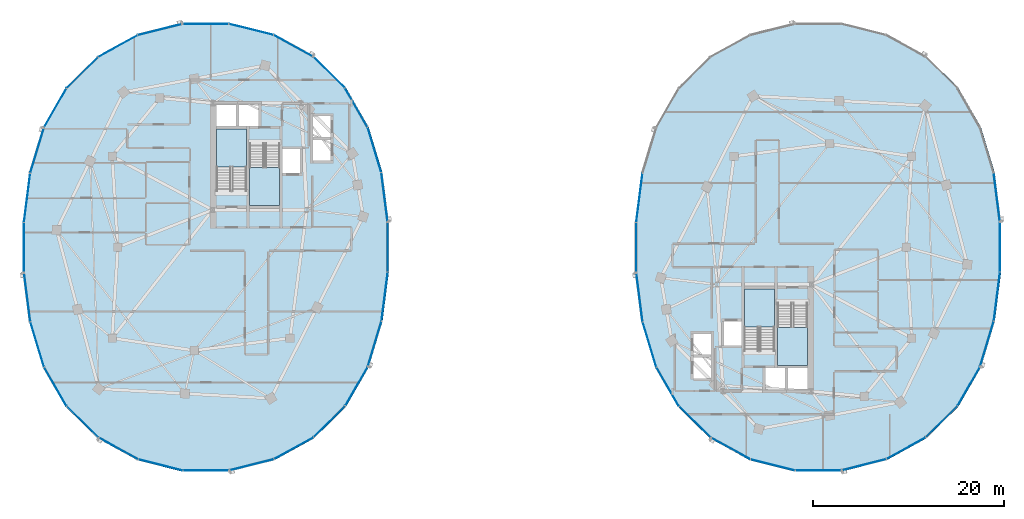
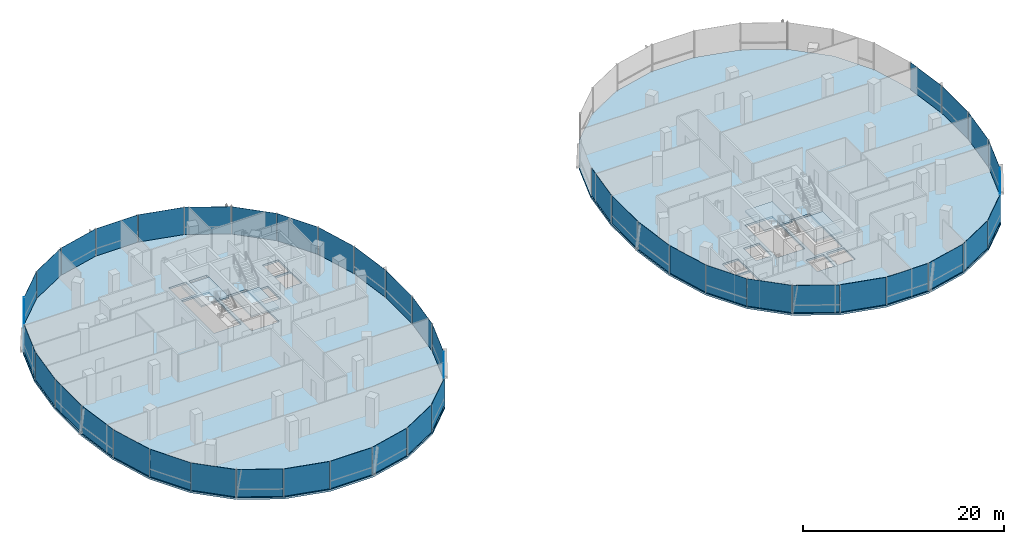
# One storey, part 10 of 23: 45 plates, 6 slabs, 12 elements without a shape of their own.
"""IFC4 building model written with IfcOpenShell, lengths in metres."""

from ifc_helpers import new_model, si_unit, direction, frame, origin, origin_2d, place, context, subcontext, project, spatial, polyline, rectangle, outline, extrude, material, layer, layer_set, type_object, element, aggregate, save


model = new_model("IFC4")

# Units and contexts
model_context = context("Model", 3, precision=1e-05, world=origin(), true_north=direction((0.0, 1.0)))
body_context = subcontext(model_context, "Body", "Model", "MODEL_VIEW")
ifc_project = project(units=[si_unit("LENGTHUNIT", "METRE"), si_unit("AREAUNIT", "SQUARE_METRE"), si_unit("VOLUMEUNIT", "CUBIC_METRE"), si_unit("PLANEANGLEUNIT", "RADIAN"), si_unit("MASSUNIT", "GRAM", prefix="KILO"), si_unit("THERMODYNAMICTEMPERATUREUNIT", "KELVIN"), si_unit("POWERUNIT", "WATT")], contexts=[model_context])

# Site, building, storey
site_placement = place(None, origin())
site = spatial("IfcSite", under=ifc_project, at=site_placement, CompositionType="ELEMENT")
building_placement = place(site_placement, origin())
building = spatial("IfcBuilding", under=site, at=building_placement, Name="Cundina Bronze Exchange", CompositionType="ELEMENT")
storey_placement = place(building_placement, frame((0.0, 0.0, 172.800048828125)))
storey = spatial("IfcBuildingStorey", under=building, at=storey_placement, Name="L45", CompositionType="ELEMENT", Elevation=172.800048828125)

# Curtain wall, plates
ifc_material_1 = material(Name="Anodised Bronze Aluminium 6063-T6", Category="aluminium")
curtain_wall_type = type_object("IfcCurtainWallType", Name="CWS-WST-PIN", PredefinedType="NOTDEFINED", material=ifc_material_1)
curtain_wall_1_placement = place(storey_placement, origin())
curtain_wall_1 = element("IfcCurtainWall", 1, at=curtain_wall_1_placement, inside=storey, type_object=curtain_wall_type, Name="L45 CW-04 Curtain Wall Run CWR-L45-W1", PredefinedType="NOTDEFINED")
ifc_material_2 = material(Name="Heat-Strengthened Solar-Control Bronze Safety Glass 28mm", Category="glass")
ifc_layer_1 = layer(ifc_material_2, 0.028076171875, Name="Heat-Strengthened Solar-Control Bronze Safety Glass 28mm", Category="glass")
ifc_layer_set_1 = layer_set([ifc_layer_1], Name="Heat-Strengthened Solar-Control Bronze Safety Glass 28mm")
plate_type_1 = type_object("IfcPlateType", Name="PLT-GLZ-VIS28", PredefinedType="CURTAIN_PANEL", material=ifc_layer_set_1)
plate_1_placement = place(storey_placement, frame((-13.320556640625, 5.2041015625, 0.02001953125), z_axis=(0.0, 0.0, 1.0), x_axis=(-0.126475984253, 0.9919696696, 0.0)))
plate_1 = element("IfcPlate", 2, at=plate_1_placement, type_object=plate_type_1, Name="CW-04 Glazed Panel 1", PredefinedType="CURTAIN_PANEL", context=body_context, shape_type="SweptSolid", body=[
    extrude(rectangle(XDim=5.104736328125, YDim=0.028076171875, at=origin_2d()), origin(), (0.0, 0.0, 1.0), 3.320068359375),
])
plate_2_placement = place(storey_placement, frame((-14.36669921875, 10.14208984375, 0.02001953125), z_axis=(0.0, 0.0, 1.0), x_axis=(-0.290050843957, 0.957011237092, 0.0)))
plate_2 = element("IfcPlate", 3, at=plate_2_placement, type_object=plate_type_1, Name="CW-04 Glazed Panel 2", PredefinedType="CURTAIN_PANEL", context=body_context, shape_type="SweptSolid", body=[
    extrude(rectangle(XDim=4.885009765625, YDim=0.028076171875, at=origin_2d()), origin(), (0.0, 0.0, 1.0), 3.320068359375),
])
plate_3_placement = place(storey_placement, frame((-16.265625, 14.564697265625, 0.02001953125), z_axis=(0.0, 0.0, 1.0), x_axis=(-0.498487739754, 0.866896748936, 0.0)))
plate_3 = element("IfcPlate", 4, at=plate_3_placement, type_object=plate_type_1, Name="CW-04 Glazed Panel 3", PredefinedType="CURTAIN_PANEL", context=body_context, shape_type="SweptSolid", body=[
    extrude(rectangle(XDim=4.676513671875, YDim=0.028076171875, at=origin_2d()), origin(), (0.0, 0.0, 1.0), 3.320068359375),
])
plate_4_placement = place(storey_placement, frame((-19.105224609375, 18.253662109375, 0.02001953125), z_axis=(0.0, 0.0, 1.0), x_axis=(-0.711989280367, 0.702190333629, 0.0)))
plate_4 = element("IfcPlate", 5, at=plate_4_placement, type_object=plate_type_1, Name="CW-04 Glazed Panel 4", PredefinedType="CURTAIN_PANEL", context=body_context, shape_type="SweptSolid", body=[
    extrude(rectangle(XDim=4.6025390625, YDim=0.028076171875, at=origin_2d()), origin(), (0.0, 0.0, 1.0), 3.320068359375),
])
plate_5_placement = place(storey_placement, frame((-27.23486328125, 22.75244140625, 0.02001953125), z_axis=(0.0, 0.0, 1.0), x_axis=(-0.970092713791, 0.242734683656, 0.0)))
plate_5 = element("IfcPlate", 6, at=plate_5_placement, type_object=plate_type_1, Name="CW-04 Glazed Panel 6", PredefinedType="CURTAIN_PANEL", context=body_context, shape_type="SweptSolid", body=[
    extrude(rectangle(XDim=4.7548828125, YDim=0.028076171875, at=origin_2d()), origin(), (0.0, 0.0, 1.0), 3.320068359375),
])
plate_6_placement = place(storey_placement, frame((-32.0, 23.3369140625, 0.02001953125), z_axis=(0.0, 0.0, 1.0), x_axis=(-1.0, 0.0, 0.0)))
plate_6 = element("IfcPlate", 7, at=plate_6_placement, type_object=plate_type_1, Name="CW-04 Glazed Panel 7", PredefinedType="CURTAIN_PANEL", context=body_context, shape_type="SweptSolid", body=[
    extrude(rectangle(XDim=4.7958984375, YDim=0.028076171875, at=origin_2d()), origin(), (0.0, 0.0, 1.0), 3.320068359375),
])

curtain_wall_2_placement = place(storey_placement, origin())
curtain_wall_2 = element("IfcCurtainWall", 8, at=curtain_wall_2_placement, inside=storey, type_object=curtain_wall_type, Name="L45 CW-04 Curtain Wall Run CWR-L45-W2", PredefinedType="NOTDEFINED")
plate_7_placement = place(storey_placement, frame((-36.76513671875, 22.75244140625, 0.02001953125), z_axis=(0.0, 0.0, 1.0), x_axis=(-0.970092713791, -0.242734683656, 0.0)))
plate_7 = element("IfcPlate", 9, at=plate_7_placement, type_object=plate_type_1, Name="CW-04 Glazed Panel 1", PredefinedType="CURTAIN_PANEL", context=body_context, shape_type="SweptSolid", body=[
    extrude(rectangle(XDim=4.7548828125, YDim=0.028076171875, at=origin_2d()), origin(), (0.0, 0.0, 1.0), 3.320068359375),
])
plate_8_placement = place(storey_placement, frame((-41.16845703125, 21.02880859375, 0.02001953125), z_axis=(0.0, 0.0, 1.0), x_axis=(-0.875869093438, -0.482548786301, 0.0)))
plate_8 = element("IfcPlate", 10, at=plate_8_placement, type_object=plate_type_1, Name="CW-04 Glazed Panel 2", PredefinedType="CURTAIN_PANEL", context=body_context, shape_type="SweptSolid", body=[
    extrude(rectangle(XDim=4.661865234375, YDim=0.028076171875, at=origin_2d()), origin(), (0.0, 0.0, 1.0), 3.320068359375),
])
plate_9_placement = place(storey_placement, frame((-44.894775390625, 18.253662109375, 0.02001953125), z_axis=(0.0, 0.0, 1.0), x_axis=(-0.711989280367, -0.702190333629, 0.0)))
plate_9 = element("IfcPlate", 11, at=plate_9_placement, type_object=plate_type_1, Name="CW-04 Glazed Panel 3", PredefinedType="CURTAIN_PANEL", context=body_context, shape_type="SweptSolid", body=[
    extrude(rectangle(XDim=4.6025390625, YDim=0.028076171875, at=origin_2d()), origin(), (0.0, 0.0, 1.0), 3.320068359375),
])
plate_10_placement = place(storey_placement, frame((-49.63330078125, 10.14208984375, 0.02001953125), z_axis=(0.0, 0.0, 1.0), x_axis=(-0.290050843957, -0.957011237092, 0.0)))
plate_10 = element("IfcPlate", 12, at=plate_10_placement, type_object=plate_type_1, Name="CW-04 Glazed Panel 5", PredefinedType="CURTAIN_PANEL", context=body_context, shape_type="SweptSolid", body=[
    extrude(rectangle(XDim=4.885009765625, YDim=0.028076171875, at=origin_2d()), origin(), (0.0, 0.0, 1.0), 3.320068359375),
])
plate_11_placement = place(storey_placement, frame((-50.679443359375, 5.2041015625, 0.02001953125), z_axis=(0.0, 0.0, 1.0), x_axis=(-0.126475984253, -0.9919696696, 0.0)))
plate_11 = element("IfcPlate", 13, at=plate_11_placement, type_object=plate_type_1, Name="CW-04 Glazed Panel 6", PredefinedType="CURTAIN_PANEL", context=body_context, shape_type="SweptSolid", body=[
    extrude(rectangle(XDim=5.104736328125, YDim=0.028076171875, at=origin_2d()), origin(), (0.0, 0.0, 1.0), 3.320068359375),
])
plate_12_placement = place(storey_placement, frame((-51.007080078125, 0.0, 0.02001953125), z_axis=(0.0, 0.0, 1.0), x_axis=(0.0, -1.0, 0.0)))
plate_12 = element("IfcPlate", 14, at=plate_12_placement, type_object=plate_type_1, Name="CW-04 Glazed Panel 7", PredefinedType="CURTAIN_PANEL", context=body_context, shape_type="SweptSolid", body=[
    extrude(rectangle(XDim=5.194091796875, YDim=0.028076171875, at=origin_2d()), origin(), (0.0, 0.0, 1.0), 3.320068359375),
])

curtain_wall_3_placement = place(storey_placement, origin())
curtain_wall_3 = element("IfcCurtainWall", 15, at=curtain_wall_3_placement, inside=storey, type_object=curtain_wall_type, Name="L45 CW-04 Curtain Wall Run CWR-L45-W3", PredefinedType="NOTDEFINED")
plate_13_placement = place(storey_placement, frame((-50.679443359375, -5.2041015625, 0.02001953125), z_axis=(0.0, 0.0, 1.0), x_axis=(0.126475984253, -0.9919696696, 0.0)))
plate_13 = element("IfcPlate", 16, at=plate_13_placement, type_object=plate_type_1, Name="CW-04 Glazed Panel 1", PredefinedType="CURTAIN_PANEL", context=body_context, shape_type="SweptSolid", body=[
    extrude(rectangle(XDim=5.104736328125, YDim=0.028076171875, at=origin_2d()), origin(), (0.0, 0.0, 1.0), 3.320068359375),
])
plate_14_placement = place(storey_placement, frame((-49.63330078125, -10.14208984375, 0.02001953125), z_axis=(0.0, 0.0, 1.0), x_axis=(0.290050843957, -0.957011237092, 0.0)))
plate_14 = element("IfcPlate", 17, at=plate_14_placement, type_object=plate_type_1, Name="CW-04 Glazed Panel 2", PredefinedType="CURTAIN_PANEL", context=body_context, shape_type="SweptSolid", body=[
    extrude(rectangle(XDim=4.885009765625, YDim=0.028076171875, at=origin_2d()), origin(), (0.0, 0.0, 1.0), 3.320068359375),
])
plate_15_placement = place(storey_placement, frame((-44.894775390625, -18.253662109375, 0.02001953125), z_axis=(0.0, 0.0, 1.0), x_axis=(0.711989280367, -0.702190333629, 0.0)))
plate_15 = element("IfcPlate", 18, at=plate_15_placement, type_object=plate_type_1, Name="CW-04 Glazed Panel 4", PredefinedType="CURTAIN_PANEL", context=body_context, shape_type="SweptSolid", body=[
    extrude(rectangle(XDim=4.6025390625, YDim=0.028076171875, at=origin_2d()), origin(), (0.0, 0.0, 1.0), 3.320068359375),
])
plate_16_placement = place(storey_placement, frame((-41.16845703125, -21.02880859375, 0.02001953125), z_axis=(0.0, 0.0, 1.0), x_axis=(0.875869093438, -0.482548786301, 0.0)))
plate_16 = element("IfcPlate", 19, at=plate_16_placement, type_object=plate_type_1, Name="CW-04 Glazed Panel 5", PredefinedType="CURTAIN_PANEL", context=body_context, shape_type="SweptSolid", body=[
    extrude(rectangle(XDim=4.661865234375, YDim=0.028076171875, at=origin_2d()), origin(), (0.0, 0.0, 1.0), 3.320068359375),
])
plate_17_placement = place(storey_placement, frame((-36.76513671875, -22.75244140625, 0.02001953125), z_axis=(0.0, 0.0, 1.0), x_axis=(0.970092713791, -0.242734683656, 0.0)))
plate_17 = element("IfcPlate", 20, at=plate_17_placement, type_object=plate_type_1, Name="CW-04 Glazed Panel 6", PredefinedType="CURTAIN_PANEL", context=body_context, shape_type="SweptSolid", body=[
    extrude(rectangle(XDim=4.7548828125, YDim=0.028076171875, at=origin_2d()), origin(), (0.0, 0.0, 1.0), 3.320068359375),
])
plate_18_placement = place(storey_placement, frame((-32.0, -23.3369140625, 0.02001953125), z_axis=(0.0, 0.0, 1.0), x_axis=(1.0, 0.0, 0.0)))
plate_18 = element("IfcPlate", 21, at=plate_18_placement, type_object=plate_type_1, Name="CW-04 Glazed Panel 7", PredefinedType="CURTAIN_PANEL", context=body_context, shape_type="SweptSolid", body=[
    extrude(rectangle(XDim=4.7958984375, YDim=0.028076171875, at=origin_2d()), origin(), (0.0, 0.0, 1.0), 3.320068359375),
])

curtain_wall_4_placement = place(storey_placement, origin())
curtain_wall_4 = element("IfcCurtainWall", 22, at=curtain_wall_4_placement, inside=storey, type_object=curtain_wall_type, Name="L45 CW-04 Curtain Wall Run CWR-L45-W4", PredefinedType="NOTDEFINED")
plate_19_placement = place(storey_placement, frame((-27.23486328125, -22.75244140625, 0.02001953125), z_axis=(0.0, 0.0, 1.0), x_axis=(0.970092713791, 0.242734683656, 0.0)))
plate_19 = element("IfcPlate", 23, at=plate_19_placement, type_object=plate_type_1, Name="CW-04 Glazed Panel 1", PredefinedType="CURTAIN_PANEL", context=body_context, shape_type="SweptSolid", body=[
    extrude(rectangle(XDim=4.7548828125, YDim=0.028076171875, at=origin_2d()), origin(), (0.0, 0.0, 1.0), 3.320068359375),
])
plate_20_placement = place(storey_placement, frame((-19.105224609375, -18.253662109375, 0.02001953125), z_axis=(0.0, 0.0, 1.0), x_axis=(0.711989280367, 0.702190333629, 0.0)))
plate_20 = element("IfcPlate", 24, at=plate_20_placement, type_object=plate_type_1, Name="CW-04 Glazed Panel 3", PredefinedType="CURTAIN_PANEL", context=body_context, shape_type="SweptSolid", body=[
    extrude(rectangle(XDim=4.6025390625, YDim=0.028076171875, at=origin_2d()), origin(), (0.0, 0.0, 1.0), 3.320068359375),
])
plate_21_placement = place(storey_placement, frame((-16.265625, -14.564697265625, 0.02001953125), z_axis=(0.0, 0.0, 1.0), x_axis=(0.498487739754, 0.866896748936, 0.0)))
plate_21 = element("IfcPlate", 25, at=plate_21_placement, type_object=plate_type_1, Name="CW-04 Glazed Panel 4", PredefinedType="CURTAIN_PANEL", context=body_context, shape_type="SweptSolid", body=[
    extrude(rectangle(XDim=4.676513671875, YDim=0.028076171875, at=origin_2d()), origin(), (0.0, 0.0, 1.0), 3.320068359375),
])
plate_22_placement = place(storey_placement, frame((-14.36669921875, -10.14208984375, 0.02001953125), z_axis=(0.0, 0.0, 1.0), x_axis=(0.290050843957, 0.957011237092, 0.0)))
plate_22 = element("IfcPlate", 26, at=plate_22_placement, type_object=plate_type_1, Name="CW-04 Glazed Panel 5", PredefinedType="CURTAIN_PANEL", context=body_context, shape_type="SweptSolid", body=[
    extrude(rectangle(XDim=4.885009765625, YDim=0.028076171875, at=origin_2d()), origin(), (0.0, 0.0, 1.0), 3.320068359375),
])
plate_23_placement = place(storey_placement, frame((-13.320556640625, -5.2041015625, 0.02001953125), z_axis=(0.0, 0.0, 1.0), x_axis=(0.126475984253, 0.9919696696, 0.0)))
plate_23 = element("IfcPlate", 27, at=plate_23_placement, type_object=plate_type_1, Name="CW-04 Glazed Panel 6", PredefinedType="CURTAIN_PANEL", context=body_context, shape_type="SweptSolid", body=[
    extrude(rectangle(XDim=5.104736328125, YDim=0.028076171875, at=origin_2d()), origin(), (0.0, 0.0, 1.0), 3.320068359375),
])

# Curtain wall, plate
curtain_wall_5_placement = place(storey_placement, origin())
curtain_wall_5 = element("IfcCurtainWall", 28, at=curtain_wall_5_placement, inside=storey, type_object=curtain_wall_type, Name="L45 CW-04 Curtain Wall Run CWR-L45-E1", PredefinedType="NOTDEFINED")
plate_24_placement = place(storey_placement, frame((50.679443359375, 5.2041015625, 0.02001953125), z_axis=(0.0, 0.0, 1.0), x_axis=(-0.126475984253, 0.9919696696, 0.0)))
plate_24 = element("IfcPlate", 29, at=plate_24_placement, type_object=plate_type_1, Name="CW-04 Glazed Panel 1", PredefinedType="CURTAIN_PANEL", context=body_context, shape_type="SweptSolid", body=[
    extrude(rectangle(XDim=5.104736328125, YDim=0.028076171875, at=origin_2d()), origin(), (0.0, 0.0, 1.0), 3.320068359375),
])
aggregate(curtain_wall_5, [plate_24])

# Curtain wall, plates
curtain_wall_6_placement = place(storey_placement, origin())
curtain_wall_6 = element("IfcCurtainWall", 30, at=curtain_wall_6_placement, inside=storey, type_object=curtain_wall_type, Name="L45 CW-04 Curtain Wall Run CWR-L45-E2", PredefinedType="NOTDEFINED")
plate_25_placement = place(storey_placement, frame((13.320556640625, 5.2041015625, 0.02001953125), z_axis=(0.0, 0.0, 1.0), x_axis=(-0.126475984253, -0.9919696696, 0.0)))
plate_25 = element("IfcPlate", 31, at=plate_25_placement, type_object=plate_type_1, Name="CW-04 Glazed Panel 6", PredefinedType="CURTAIN_PANEL", context=body_context, shape_type="SweptSolid", body=[
    extrude(rectangle(XDim=5.104736328125, YDim=0.028076171875, at=origin_2d()), origin(), (0.0, 0.0, 1.0), 3.320068359375),
])
plate_26_placement = place(storey_placement, frame((12.992919921875, 0.0, 0.02001953125), z_axis=(0.0, 0.0, 1.0), x_axis=(0.0, -1.0, 0.0)))
plate_26 = element("IfcPlate", 32, at=plate_26_placement, type_object=plate_type_1, Name="CW-04 Glazed Panel 7", PredefinedType="CURTAIN_PANEL", context=body_context, shape_type="SweptSolid", body=[
    extrude(rectangle(XDim=5.194091796875, YDim=0.028076171875, at=origin_2d()), origin(), (0.0, 0.0, 1.0), 3.320068359375),
])
aggregate(curtain_wall_6, [plate_25, plate_26])

curtain_wall_7_placement = place(storey_placement, origin())
curtain_wall_7 = element("IfcCurtainWall", 33, at=curtain_wall_7_placement, inside=storey, type_object=curtain_wall_type, Name="L45 CW-04 Curtain Wall Run CWR-L45-E3", PredefinedType="NOTDEFINED")
plate_27_placement = place(storey_placement, frame((13.320556640625, -5.2041015625, 0.02001953125), z_axis=(0.0, 0.0, 1.0), x_axis=(0.126475984253, -0.9919696696, 0.0)))
plate_27 = element("IfcPlate", 34, at=plate_27_placement, type_object=plate_type_1, Name="CW-04 Glazed Panel 1", PredefinedType="CURTAIN_PANEL", context=body_context, shape_type="SweptSolid", body=[
    extrude(rectangle(XDim=5.104736328125, YDim=0.028076171875, at=origin_2d()), origin(), (0.0, 0.0, 1.0), 3.320068359375),
])
plate_28_placement = place(storey_placement, frame((14.36669921875, -10.14208984375, 0.02001953125), z_axis=(0.0, 0.0, 1.0), x_axis=(0.290050843957, -0.957011237092, 0.0)))
plate_28 = element("IfcPlate", 35, at=plate_28_placement, type_object=plate_type_1, Name="CW-04 Glazed Panel 2", PredefinedType="CURTAIN_PANEL", context=body_context, shape_type="SweptSolid", body=[
    extrude(rectangle(XDim=4.885009765625, YDim=0.028076171875, at=origin_2d()), origin(), (0.0, 0.0, 1.0), 3.320068359375),
])
plate_29_placement = place(storey_placement, frame((19.105224609375, -18.253662109375, 0.02001953125), z_axis=(0.0, 0.0, 1.0), x_axis=(0.711989280367, -0.702190333629, 0.0)))
plate_29 = element("IfcPlate", 36, at=plate_29_placement, type_object=plate_type_1, Name="CW-04 Glazed Panel 4", PredefinedType="CURTAIN_PANEL", context=body_context, shape_type="SweptSolid", body=[
    extrude(rectangle(XDim=4.6025390625, YDim=0.028076171875, at=origin_2d()), origin(), (0.0, 0.0, 1.0), 3.320068359375),
])
plate_30_placement = place(storey_placement, frame((22.83154296875, -21.02880859375, 0.02001953125), z_axis=(0.0, 0.0, 1.0), x_axis=(0.875869093438, -0.482548786301, 0.0)))
plate_30 = element("IfcPlate", 37, at=plate_30_placement, type_object=plate_type_1, Name="CW-04 Glazed Panel 5", PredefinedType="CURTAIN_PANEL", context=body_context, shape_type="SweptSolid", body=[
    extrude(rectangle(XDim=4.661865234375, YDim=0.028076171875, at=origin_2d()), origin(), (0.0, 0.0, 1.0), 3.320068359375),
])
plate_31_placement = place(storey_placement, frame((27.23486328125, -22.75244140625, 0.02001953125), z_axis=(0.0, 0.0, 1.0), x_axis=(0.970092713791, -0.242734683656, 0.0)))
plate_31 = element("IfcPlate", 38, at=plate_31_placement, type_object=plate_type_1, Name="CW-04 Glazed Panel 6", PredefinedType="CURTAIN_PANEL", context=body_context, shape_type="SweptSolid", body=[
    extrude(rectangle(XDim=4.7548828125, YDim=0.028076171875, at=origin_2d()), origin(), (0.0, 0.0, 1.0), 3.320068359375),
])
plate_32_placement = place(storey_placement, frame((32.0, -23.3369140625, 0.02001953125), z_axis=(0.0, 0.0, 1.0), x_axis=(1.0, 0.0, 0.0)))
plate_32 = element("IfcPlate", 39, at=plate_32_placement, type_object=plate_type_1, Name="CW-04 Glazed Panel 7", PredefinedType="CURTAIN_PANEL", context=body_context, shape_type="SweptSolid", body=[
    extrude(rectangle(XDim=4.7958984375, YDim=0.028076171875, at=origin_2d()), origin(), (0.0, 0.0, 1.0), 3.320068359375),
])

curtain_wall_8_placement = place(storey_placement, origin())
curtain_wall_8 = element("IfcCurtainWall", 40, at=curtain_wall_8_placement, inside=storey, type_object=curtain_wall_type, Name="L45 CW-04 Curtain Wall Run CWR-L45-E4", PredefinedType="NOTDEFINED")
plate_33_placement = place(storey_placement, frame((36.76513671875, -22.75244140625, 0.02001953125), z_axis=(0.0, 0.0, 1.0), x_axis=(0.970092713791, 0.242734683656, 0.0)))
plate_33 = element("IfcPlate", 41, at=plate_33_placement, type_object=plate_type_1, Name="CW-04 Glazed Panel 1", PredefinedType="CURTAIN_PANEL", context=body_context, shape_type="SweptSolid", body=[
    extrude(rectangle(XDim=4.7548828125, YDim=0.028076171875, at=origin_2d()), origin(), (0.0, 0.0, 1.0), 3.320068359375),
])
plate_34_placement = place(storey_placement, frame((44.894775390625, -18.253662109375, 0.02001953125), z_axis=(0.0, 0.0, 1.0), x_axis=(0.711989280367, 0.702190333629, 0.0)))
plate_34 = element("IfcPlate", 42, at=plate_34_placement, type_object=plate_type_1, Name="CW-04 Glazed Panel 3", PredefinedType="CURTAIN_PANEL", context=body_context, shape_type="SweptSolid", body=[
    extrude(rectangle(XDim=4.6025390625, YDim=0.028076171875, at=origin_2d()), origin(), (0.0, 0.0, 1.0), 3.320068359375),
])
plate_35_placement = place(storey_placement, frame((47.734375, -14.564697265625, 0.02001953125), z_axis=(0.0, 0.0, 1.0), x_axis=(0.498487739754, 0.866896748936, 0.0)))
plate_35 = element("IfcPlate", 43, at=plate_35_placement, type_object=plate_type_1, Name="CW-04 Glazed Panel 4", PredefinedType="CURTAIN_PANEL", context=body_context, shape_type="SweptSolid", body=[
    extrude(rectangle(XDim=4.676513671875, YDim=0.028076171875, at=origin_2d()), origin(), (0.0, 0.0, 1.0), 3.320068359375),
])
plate_36_placement = place(storey_placement, frame((49.63330078125, -10.14208984375, 0.02001953125), z_axis=(0.0, 0.0, 1.0), x_axis=(0.290050843957, 0.957011237092, 0.0)))
plate_36 = element("IfcPlate", 44, at=plate_36_placement, type_object=plate_type_1, Name="CW-04 Glazed Panel 5", PredefinedType="CURTAIN_PANEL", context=body_context, shape_type="SweptSolid", body=[
    extrude(rectangle(XDim=4.885009765625, YDim=0.028076171875, at=origin_2d()), origin(), (0.0, 0.0, 1.0), 3.320068359375),
])
plate_37_placement = place(storey_placement, frame((50.679443359375, -5.2041015625, 0.02001953125), z_axis=(0.0, 0.0, 1.0), x_axis=(0.126475984253, 0.9919696696, 0.0)))
plate_37 = element("IfcPlate", 45, at=plate_37_placement, type_object=plate_type_1, Name="CW-04 Glazed Panel 6", PredefinedType="CURTAIN_PANEL", context=body_context, shape_type="SweptSolid", body=[
    extrude(rectangle(XDim=5.104736328125, YDim=0.028076171875, at=origin_2d()), origin(), (0.0, 0.0, 1.0), 3.320068359375),
])

# Plate
ifc_material_3 = material(Name="Dark Bronze Spandrel Glass Panel 32mm", Category="glass")
ifc_layer_2 = layer(ifc_material_3, 0.031982421875, Name="Dark Bronze Spandrel Glass Panel 32mm", Category="glass")
ifc_layer_set_2 = layer_set([ifc_layer_2], Name="Dark Bronze Spandrel Glass Panel 32mm")
plate_type_2 = type_object("IfcPlateType", Name="PLT-SPN-BRZ32", PredefinedType="CURTAIN_PANEL", material=ifc_layer_set_2)
plate_38_placement = place(storey_placement, frame((-22.83154296875, 21.02880859375, 0.02001953125), z_axis=(0.0, 0.0, 1.0), x_axis=(-0.875869093438, 0.482548786301, 0.0)))
plate_38 = element("IfcPlate", 46, at=plate_38_placement, type_object=plate_type_2, Name="CW-04 Glazed Panel 5", PredefinedType="CURTAIN_PANEL", context=body_context, shape_type="SweptSolid", body=[
    extrude(rectangle(XDim=4.661865234375, YDim=0.031982421875, at=origin_2d()), origin(), (0.0, 0.0, 1.0), 3.320068359375),
])

aggregate(curtain_wall_1, [plate_1, plate_2, plate_3, plate_4, plate_38, plate_5, plate_6])

plate_39_placement = place(storey_placement, frame((-47.734375, 14.564697265625, 0.02001953125), z_axis=(0.0, 0.0, 1.0), x_axis=(-0.498487739754, -0.866896748936, 0.0)))
plate_39 = element("IfcPlate", 47, at=plate_39_placement, type_object=plate_type_2, Name="CW-04 Glazed Panel 4", PredefinedType="CURTAIN_PANEL", context=body_context, shape_type="SweptSolid", body=[
    extrude(rectangle(XDim=4.676513671875, YDim=0.031982421875, at=origin_2d()), origin(), (0.0, 0.0, 1.0), 3.320068359375),
])

aggregate(curtain_wall_2, [plate_7, plate_8, plate_9, plate_39, plate_10, plate_11, plate_12])

plate_40_placement = place(storey_placement, frame((-47.734375, -14.564697265625, 0.02001953125), z_axis=(0.0, 0.0, 1.0), x_axis=(0.498487739754, -0.866896748936, 0.0)))
plate_40 = element("IfcPlate", 48, at=plate_40_placement, type_object=plate_type_2, Name="CW-04 Glazed Panel 3", PredefinedType="CURTAIN_PANEL", context=body_context, shape_type="SweptSolid", body=[
    extrude(rectangle(XDim=4.676513671875, YDim=0.031982421875, at=origin_2d()), origin(), (0.0, 0.0, 1.0), 3.320068359375),
])

aggregate(curtain_wall_3, [plate_13, plate_14, plate_40, plate_15, plate_16, plate_17, plate_18])

plate_41_placement = place(storey_placement, frame((-22.83154296875, -21.02880859375, 0.02001953125), z_axis=(0.0, 0.0, 1.0), x_axis=(0.875869093438, 0.482548786301, 0.0)))
plate_41 = element("IfcPlate", 49, at=plate_41_placement, type_object=plate_type_2, Name="CW-04 Glazed Panel 2", PredefinedType="CURTAIN_PANEL", context=body_context, shape_type="SweptSolid", body=[
    extrude(rectangle(XDim=4.661865234375, YDim=0.031982421875, at=origin_2d()), origin(), (0.0, 0.0, 1.0), 3.320068359375),
])

plate_42_placement = place(storey_placement, frame((-12.992919921875, 0.0, 0.02001953125), z_axis=(0.0, 0.0, 1.0), x_axis=(0.0, 1.0, 0.0)))
plate_42 = element("IfcPlate", 50, at=plate_42_placement, type_object=plate_type_2, Name="CW-04 Glazed Panel 7", PredefinedType="CURTAIN_PANEL", context=body_context, shape_type="SweptSolid", body=[
    extrude(rectangle(XDim=5.194091796875, YDim=0.031982421875, at=origin_2d()), origin(), (0.0, 0.0, 1.0), 3.320068359375),
])

aggregate(curtain_wall_4, [plate_19, plate_41, plate_20, plate_21, plate_22, plate_23, plate_42])

plate_43_placement = place(storey_placement, frame((16.265625, -14.564697265625, 0.02001953125), z_axis=(0.0, 0.0, 1.0), x_axis=(0.498487739754, -0.866896748936, 0.0)))
plate_43 = element("IfcPlate", 51, at=plate_43_placement, type_object=plate_type_2, Name="CW-04 Glazed Panel 3", PredefinedType="CURTAIN_PANEL", context=body_context, shape_type="SweptSolid", body=[
    extrude(rectangle(XDim=4.676513671875, YDim=0.031982421875, at=origin_2d()), origin(), (0.0, 0.0, 1.0), 3.320068359375),
])

aggregate(curtain_wall_7, [plate_27, plate_28, plate_43, plate_29, plate_30, plate_31, plate_32])

plate_44_placement = place(storey_placement, frame((41.16845703125, -21.02880859375, 0.02001953125), z_axis=(0.0, 0.0, 1.0), x_axis=(0.875869093438, 0.482548786301, 0.0)))
plate_44 = element("IfcPlate", 52, at=plate_44_placement, type_object=plate_type_2, Name="CW-04 Glazed Panel 2", PredefinedType="CURTAIN_PANEL", context=body_context, shape_type="SweptSolid", body=[
    extrude(rectangle(XDim=4.661865234375, YDim=0.031982421875, at=origin_2d()), origin(), (0.0, 0.0, 1.0), 3.320068359375),
])

plate_45_placement = place(storey_placement, frame((51.007080078125, 0.0, 0.02001953125), z_axis=(0.0, 0.0, 1.0), x_axis=(0.0, 1.0, 0.0)))
plate_45 = element("IfcPlate", 53, at=plate_45_placement, type_object=plate_type_2, Name="CW-04 Glazed Panel 7", PredefinedType="CURTAIN_PANEL", context=body_context, shape_type="SweptSolid", body=[
    extrude(rectangle(XDim=5.194091796875, YDim=0.031982421875, at=origin_2d()), origin(), (0.0, 0.0, 1.0), 3.320068359375),
])

aggregate(curtain_wall_8, [plate_33, plate_44, plate_34, plate_35, plate_36, plate_37, plate_45])

# Stair, slab
ifc_material_4 = material(Name="Concrete C40/50", Category="concrete")
stair_type = type_object("IfcStairType", Name="STR-OFF-360", PredefinedType="HALF_TURN_STAIR", material=ifc_material_4)
stair_1_placement = place(storey_placement, origin())
stair_1 = element("IfcStair", 54, at=stair_1_placement, inside=storey, type_object=stair_type, Name="L45 Smokeproof Exit Stair W1", PredefinedType="HALF_TURN_STAIR")
ifc_layer_3 = layer(ifc_material_4, 0.199951171875, Name="Concrete C40/50", Category="concrete")
ifc_layer_set_3 = layer_set([ifc_layer_3], Name="Concrete C40/50")
slab_type_1 = type_object("IfcSlabType", Name="SLB-LND-200", PredefinedType="LANDING", material=ifc_layer_set_3)
slab_1_placement = place(storey_placement, frame((0.0, 0.0, 1.599853515625)))
slab_1 = element("IfcSlab", 55, at=slab_1_placement, type_object=slab_type_1, Name="ST-W1 landing 1", PredefinedType="LANDING", context=body_context, shape_type="SweptSolid", body=[
    extrude(outline(polyline([(-27.739990234375, 8.3701171875), (-27.739990234375, 12.35009765625), (-30.89990234375, 12.35009765625), (-30.89990234375, 8.3701171875), (-27.739990234375, 8.3701171875)])), origin(), (0.0, 0.0, 1.0), 0.2001953125),
])
aggregate(stair_1, [slab_1])

stair_2_placement = place(storey_placement, origin())
stair_2 = element("IfcStair", 56, at=stair_2_placement, inside=storey, type_object=stair_type, Name="L45 Smokeproof Exit Stair W2", PredefinedType="HALF_TURN_STAIR")
slab_2_placement = place(storey_placement, frame((0.0, 0.0, 1.599853515625)))
slab_2 = element("IfcSlab", 57, at=slab_2_placement, type_object=slab_type_1, Name="ST-W2 landing 1", PredefinedType="LANDING", context=body_context, shape_type="SweptSolid", body=[
    extrude(outline(polyline([(-27.43994140625, 8.330078125), (-27.43994140625, 4.35009765625), (-24.280029296875, 4.35009765625), (-24.280029296875, 8.330078125), (-27.43994140625, 8.330078125)])), origin(), (0.0, 0.0, 1.0), 0.2001953125),
])
aggregate(stair_2, [slab_2])

stair_3_placement = place(storey_placement, origin())
stair_3 = element("IfcStair", 58, at=stair_3_placement, inside=storey, type_object=stair_type, Name="L45 Smokeproof Exit Stair E1", PredefinedType="HALF_TURN_STAIR")
slab_3_placement = place(storey_placement, frame((0.0, 0.0, 1.599853515625)))
slab_3 = element("IfcSlab", 59, at=slab_3_placement, type_object=slab_type_1, Name="ST-E1 landing 1", PredefinedType="LANDING", context=body_context, shape_type="SweptSolid", body=[
    extrude(outline(polyline([(27.739990234375, -8.3701171875), (27.739990234375, -12.35009765625), (30.89990234375, -12.35009765625), (30.89990234375, -8.3701171875), (27.739990234375, -8.3701171875)])), origin(), (0.0, 0.0, 1.0), 0.2001953125),
])
aggregate(stair_3, [slab_3])

stair_4_placement = place(storey_placement, origin())
stair_4 = element("IfcStair", 60, at=stair_4_placement, inside=storey, type_object=stair_type, Name="L45 Smokeproof Exit Stair E2", PredefinedType="HALF_TURN_STAIR")
slab_4_placement = place(storey_placement, frame((0.0, 0.0, 1.599853515625)))
slab_4 = element("IfcSlab", 61, at=slab_4_placement, type_object=slab_type_1, Name="ST-E2 landing 1", PredefinedType="LANDING", context=body_context, shape_type="SweptSolid", body=[
    extrude(outline(polyline([(27.43994140625, -8.330078125), (27.43994140625, -4.35009765625), (24.280029296875, -4.35009765625), (24.280029296875, -8.330078125), (27.43994140625, -8.330078125)])), origin(), (0.0, 0.0, 1.0), 0.2001953125),
])
aggregate(stair_4, [slab_4])

# Slabs
ifc_material_5 = material(Name="Concrete C50/60", Category="concrete")
ifc_layer_4 = layer(ifc_material_5, 0.239990234375, Name="Concrete C50/60", Category="concrete")
ifc_layer_set_4 = layer_set([ifc_layer_4], Name="Concrete C50/60")
slab_type_2 = type_object("IfcSlabType", Name="SLB-WST-240", PredefinedType="FLOOR", material=ifc_layer_set_4)
slab_5_placement = place(storey_placement, frame((0.0, 0.0, -0.239990234375)))
element("IfcSlab", 62, at=slab_5_placement, inside=storey, type_object=slab_type_2, Name="L45 Leg W Structural Floor Slab", PredefinedType="FLOOR", context=body_context, shape_type="SweptSolid", body=[
    extrude(outline(polyline([(-12.8779296875, 2.64208984375), (-13.534912109375, 7.794921875), (-14.97802734375, 12.555908203125), (-17.35400390625, 16.68798828125), (-20.695068359375, 19.98291015625), (-24.85693359375, 22.27587890625), (-29.556884765625, 23.451904296875), (-34.443115234375, 23.451904296875), (-39.14306640625, 22.27587890625), (-43.304931640625, 19.98291015625), (-46.64599609375, 16.68798828125), (-49.02197265625, 12.555908203125), (-50.465087890625, 7.794921875), (-51.1220703125, 2.64208984375), (-51.1220703125, -2.64208984375), (-50.465087890625, -7.794921875), (-49.02197265625, -12.555908203125), (-46.64599609375, -16.68798828125), (-43.304931640625, -19.98291015625), (-39.14306640625, -22.27587890625), (-34.443115234375, -23.451904296875), (-29.556884765625, -23.451904296875), (-24.85693359375, -22.27587890625), (-20.695068359375, -19.98291015625), (-17.35400390625, -16.68798828125), (-14.97802734375, -12.555908203125), (-13.534912109375, -7.794921875), (-12.8779296875, -2.64208984375), (-12.8779296875, 2.64208984375)]), holes=[polyline([(-27.739990234375, 5.85009765625), (-27.739990234375, 12.35009765625), (-30.89990234375, 12.35009765625), (-30.89990234375, 5.85009765625), (-27.739990234375, 5.85009765625)]), polyline([(-27.43994140625, 10.85009765625), (-27.43994140625, 4.35009765625), (-24.280029296875, 4.35009765625), (-24.280029296875, 10.85009765625), (-27.43994140625, 10.85009765625)]), polyline([(-23.97998046875, 10.25), (-22.179931640625, 10.25), (-22.179931640625, 7.75), (-23.97998046875, 7.75), (-23.97998046875, 10.25)]), polyline([(-30.89990234375, 14.949951171875), (-28.85009765625, 14.949951171875), (-28.85009765625, 12.64990234375), (-30.89990234375, 12.64990234375), (-30.89990234375, 14.949951171875)]), polyline([(-28.550048828125, 14.949951171875), (-26.5, 14.949951171875), (-26.5, 12.64990234375), (-28.550048828125, 12.64990234375), (-28.550048828125, 14.949951171875)]), polyline([(-20.800048828125, 13.699951171875), (-18.949951171875, 13.699951171875), (-18.949951171875, 11.449951171875), (-20.800048828125, 11.449951171875), (-20.800048828125, 13.699951171875)]), polyline([(-20.800048828125, 11.300048828125), (-18.949951171875, 11.300048828125), (-18.949951171875, 9.050048828125), (-20.800048828125, 9.050048828125), (-20.800048828125, 11.300048828125)])]), origin(), (0.0, 0.0, 1.0), 0.239990234375),
])
slab_6_placement = place(storey_placement, frame((0.0, 0.0, -0.239990234375)))
element("IfcSlab", 63, at=slab_6_placement, inside=storey, type_object=slab_type_2, Name="L45 Leg E Structural Floor Slab", PredefinedType="FLOOR", context=body_context, shape_type="SweptSolid", body=[
    extrude(outline(polyline([(51.1220703125, 2.64208984375), (50.465087890625, 7.794921875), (49.02197265625, 12.555908203125), (46.64599609375, 16.68798828125), (43.304931640625, 19.98291015625), (39.14306640625, 22.27587890625), (34.443115234375, 23.451904296875), (29.556884765625, 23.451904296875), (24.85693359375, 22.27587890625), (20.695068359375, 19.98291015625), (17.35400390625, 16.68798828125), (14.97802734375, 12.555908203125), (13.534912109375, 7.794921875), (12.8779296875, 2.64208984375), (12.8779296875, -2.64208984375), (13.534912109375, -7.794921875), (14.97802734375, -12.555908203125), (17.35400390625, -16.68798828125), (20.695068359375, -19.98291015625), (24.85693359375, -22.27587890625), (29.556884765625, -23.451904296875), (34.443115234375, -23.451904296875), (39.14306640625, -22.27587890625), (43.304931640625, -19.98291015625), (46.64599609375, -16.68798828125), (49.02197265625, -12.555908203125), (50.465087890625, -7.794921875), (51.1220703125, -2.64208984375), (51.1220703125, 2.64208984375)]), holes=[polyline([(27.739990234375, -5.85009765625), (27.739990234375, -12.35009765625), (30.89990234375, -12.35009765625), (30.89990234375, -5.85009765625), (27.739990234375, -5.85009765625)]), polyline([(27.43994140625, -10.85009765625), (27.43994140625, -4.35009765625), (24.280029296875, -4.35009765625), (24.280029296875, -10.85009765625), (27.43994140625, -10.85009765625)]), polyline([(22.179931640625, -7.75), (23.97998046875, -7.75), (23.97998046875, -10.25), (22.179931640625, -10.25), (22.179931640625, -7.75)]), polyline([(28.85009765625, -12.64990234375), (30.89990234375, -12.64990234375), (30.89990234375, -14.949951171875), (28.85009765625, -14.949951171875), (28.85009765625, -12.64990234375)]), polyline([(26.5, -12.64990234375), (28.550048828125, -12.64990234375), (28.550048828125, -14.949951171875), (26.5, -14.949951171875), (26.5, -12.64990234375)]), polyline([(18.949951171875, -11.449951171875), (20.800048828125, -11.449951171875), (20.800048828125, -13.699951171875), (18.949951171875, -13.699951171875), (18.949951171875, -11.449951171875)]), polyline([(18.949951171875, -9.050048828125), (20.800048828125, -9.050048828125), (20.800048828125, -11.300048828125), (18.949951171875, -11.300048828125), (18.949951171875, -9.050048828125)])]), origin(), (0.0, 0.0, 1.0), 0.239990234375),
])

save(model, "model.ifc")
